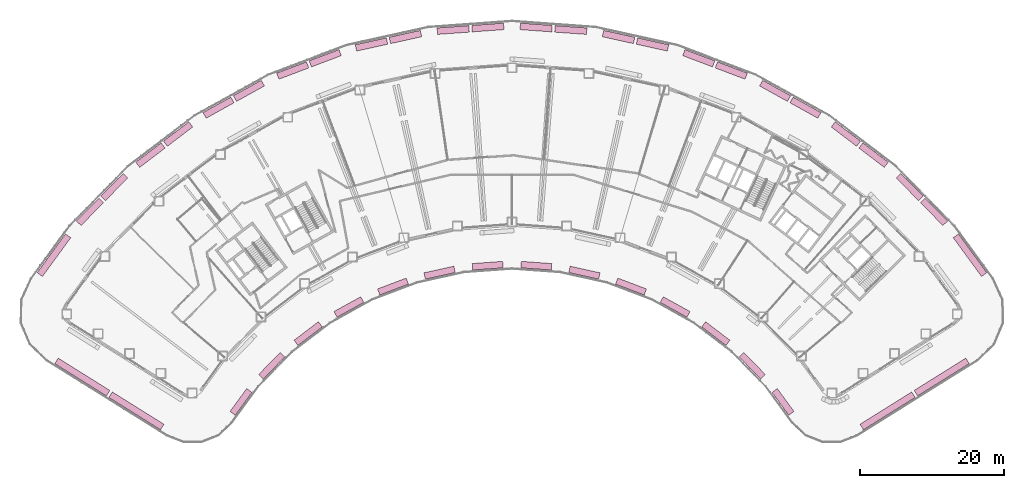
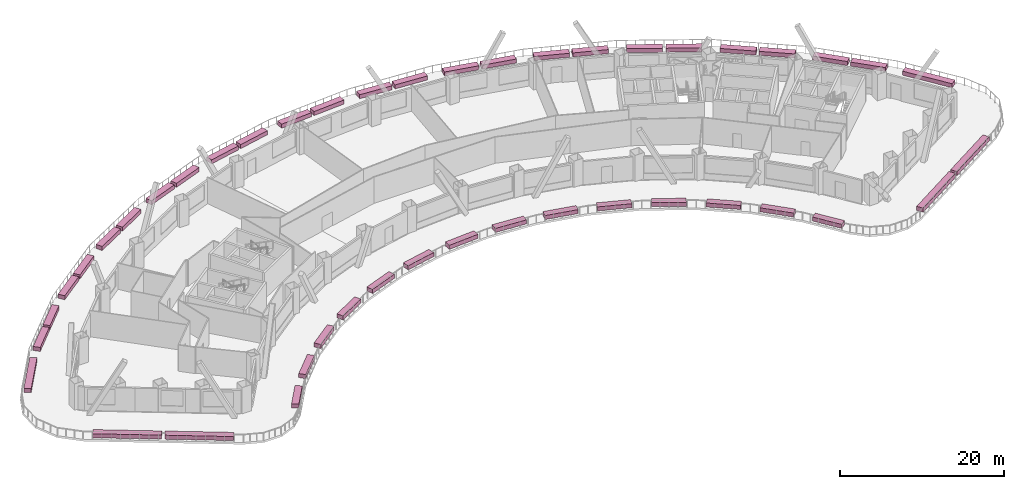
# One storey, part 12 of 12: 44 furnishings.
"""IFC4 building model written with IfcOpenShell, lengths in metres."""

from ifc_helpers import new_model, si_unit, direction, frame, origin, origin_2d, place, context, subcontext, project, spatial, rectangle, extrude, material, type_object, element, save


model = new_model("IFC4")

# Units and contexts
model_context = context("Model", 3, precision=1e-05, world=origin(), true_north=direction((0.0, 1.0)))
body_context = subcontext(model_context, "Body", "Model", "MODEL_VIEW")
ifc_project = project(units=[si_unit("LENGTHUNIT", "METRE"), si_unit("AREAUNIT", "SQUARE_METRE"), si_unit("VOLUMEUNIT", "CUBIC_METRE"), si_unit("PLANEANGLEUNIT", "RADIAN"), si_unit("MASSUNIT", "GRAM", prefix="KILO")], contexts=[model_context])

# Site, building, storey
site_placement = place(None, origin())
site = spatial("IfcSite", under=ifc_project, at=site_placement, CompositionType="ELEMENT")
building_placement = place(site_placement, origin())
building = spatial("IfcBuilding", under=site, at=building_placement, Name="Tuul Gate Civic Tower", CompositionType="ELEMENT")
storey_placement = place(building_placement, frame((0.0, 0.0, 31.5)))
storey = spatial("IfcBuildingStorey", under=building, at=storey_placement, Name="Level 06", CompositionType="ELEMENT", Elevation=31.5)

# Furnishings
ifc_material = material(Name="Planting soil")
furnishing_element_type = type_object("IfcFurnishingElementType", Name="Planter", material=ifc_material)
for number, where, z_axis, x_axis, name in (
    (1, (52.0283203125, -33.62060546875, 0.0), (0.0, 0.0, 1.0), (0.848069718572, 0.529884659564, 0.0), "Planter"),
    (2, (59.518798828125, -28.9404296875, 0.0), (0.0, 0.0, 1.0), (0.848069718572, 0.529884659564, 0.0), "Planter"),
):
    element("IfcFurnishingElement", number, at=place(storey_placement, frame(where, z_axis=z_axis, x_axis=x_axis)), inside=storey, type_object=furnishing_element_type, Name=name, context=body_context, shape_type="SweptSolid", body=[
        extrude(rectangle(XDim=8.432373046875, YDim=0.89990234375, at=origin_2d()), origin(), (0.0, 0.0, 1.0), 0.60009765625),
    ])
furnishing_1_placement = place(storey_placement, frame((63.4423828125, -12.064453125, 0.0), z_axis=(0.0, 0.0, 1.0), x_axis=(-0.589819839777, 0.807534864018, 0.0)))
element("IfcFurnishingElement", 3, at=furnishing_1_placement, inside=storey, type_object=furnishing_element_type, Name="Planter", context=body_context, shape_type="SweptSolid", body=[
    extrude(rectangle(XDim=6.6484375, YDim=0.89990234375, at=origin_2d()), origin(), (0.0, 0.0, 1.0), 0.60009765625),
])
for number, where, z_axis, x_axis, name in (
    (4, (58.462646484375, -6.06494140625, 0.0), (0.0, 0.0, 1.0), (-0.700023283574, 0.714120019643, 0.0), "Planter"),
    (5, (55.0908203125, -2.625, 0.0), (0.0, 0.0, 1.0), (-0.700023283574, 0.714120019643, 0.0), "Planter"),
    (6, (50.07958984375, 1.79736328125, 0.0), (0.0, 0.0, 1.0), (-0.795605325164, 0.605815290802, 0.0), "Planter"),
    (7, (46.2470703125, 4.715576171875, 0.0), (0.0, 0.0, 1.0), (-0.795605325164, 0.605815290802, 0.0), "Planter"),
):
    element("IfcFurnishingElement", number, at=place(storey_placement, frame(where, z_axis=z_axis, x_axis=x_axis)), inside=storey, type_object=furnishing_element_type, Name=name, context=body_context, shape_type="SweptSolid", body=[
        extrude(rectangle(XDim=4.4169921875, YDim=0.89990234375, at=origin_2d()), origin(), (0.0, 0.0, 1.0), 0.60009765625),
    ])
for number, where, z_axis, x_axis, name in (
    (8, (40.651123046875, 8.36962890625, 0.0), (0.0, 0.0, 1.0), (-0.87462315507, 0.484803399963, 0.0), "Planter"),
    (9, (36.438232421875, 10.704833984375, 0.0), (0.0, 0.0, 1.0), (-0.87462315507, 0.484803399963, 0.0), "Planter"),
):
    element("IfcFurnishingElement", number, at=place(storey_placement, frame(where, z_axis=z_axis, x_axis=x_axis)), inside=storey, type_object=furnishing_element_type, Name=name, context=body_context, shape_type="SweptSolid", body=[
        extrude(rectangle(XDim=4.416748046875, YDim=0.89990234375, at=origin_2d()), origin(), (0.0, 0.0, 1.0), 0.60009765625),
    ])
for number, where, z_axis, x_axis, name in (
    (10, (30.3740234375, 13.513916015625, 0.0), (0.0, 0.0, 1.0), (-0.935375432671, 0.353656330292, 0.0), "Planter"),
    (11, (25.868896484375, 15.21728515625, 0.0), (0.0, 0.0, 1.0), (-0.935375432671, 0.353656330292, 0.0), "Planter"),
):
    element("IfcFurnishingElement", number, at=place(storey_placement, frame(where, z_axis=z_axis, x_axis=x_axis)), inside=storey, type_object=furnishing_element_type, Name=name, context=body_context, shape_type="SweptSolid", body=[
        extrude(rectangle(XDim=4.416259765625, YDim=0.89990234375, at=origin_2d()), origin(), (0.0, 0.0, 1.0), 0.60009765625),
    ])
for number, where, z_axis, x_axis, name in (
    (12, (19.46337890625, 17.123291015625, 0.0), (0.0, 0.0, 1.0), (-0.97656178229, 0.215237276906, 0.0), "Planter"),
    (13, (14.75927734375, 18.16015625, 0.0), (0.0, 0.0, 1.0), (-0.97656178229, 0.215237276906, 0.0), "Planter"),
    (14, (8.145751953125, 19.12353515625, 0.0), (0.0, 0.0, 1.0), (-0.997383538595, 0.072291610438, 0.0), "Planter"),
    (15, (3.341552734375, 19.4716796875, 0.0), (0.0, 0.0, 1.0), (-0.997383538595, 0.072291610438, 0.0), "Planter"),
    (16, (-3.341552734375, 19.4716796875, 0.0), (0.0, 0.0, 1.0), (-0.997383538595, -0.072291610438, 0.0), "Planter"),
    (17, (-8.145751953125, 19.12353515625, 0.0), (0.0, 0.0, 1.0), (-0.997383538595, -0.072291610438, 0.0), "Planter"),
    (18, (-14.75927734375, 18.16015625, 0.0), (0.0, 0.0, 1.0), (-0.97656178229, -0.215237276906, 0.0), "Planter"),
    (19, (-19.46337890625, 17.123291015625, 0.0), (0.0, 0.0, 1.0), (-0.97656178229, -0.215237276906, 0.0), "Planter"),
):
    element("IfcFurnishingElement", number, at=place(storey_placement, frame(where, z_axis=z_axis, x_axis=x_axis)), inside=storey, type_object=furnishing_element_type, Name=name, context=body_context, shape_type="SweptSolid", body=[
        extrude(rectangle(XDim=4.416748046875, YDim=0.89990234375, at=origin_2d()), origin(), (0.0, 0.0, 1.0), 0.60009765625),
    ])
for number, where, z_axis, x_axis, name in (
    (20, (-25.868896484375, 15.21728515625, 0.0), (0.0, 0.0, 1.0), (-0.935375432671, -0.353656330292, 0.0), "Planter"),
    (21, (-30.3740234375, 13.513916015625, 0.0), (0.0, 0.0, 1.0), (-0.935375432671, -0.353656330292, 0.0), "Planter"),
):
    element("IfcFurnishingElement", number, at=place(storey_placement, frame(where, z_axis=z_axis, x_axis=x_axis)), inside=storey, type_object=furnishing_element_type, Name=name, context=body_context, shape_type="SweptSolid", body=[
        extrude(rectangle(XDim=4.416259765625, YDim=0.89990234375, at=origin_2d()), origin(), (0.0, 0.0, 1.0), 0.60009765625),
    ])
for number, where, z_axis, x_axis, name in (
    (22, (-36.438232421875, 10.704833984375, 0.0), (0.0, 0.0, 1.0), (-0.87462315507, -0.484803399963, 0.0), "Planter"),
    (23, (-40.651123046875, 8.36962890625, 0.0), (0.0, 0.0, 1.0), (-0.87462315507, -0.484803399963, 0.0), "Planter"),
):
    element("IfcFurnishingElement", number, at=place(storey_placement, frame(where, z_axis=z_axis, x_axis=x_axis)), inside=storey, type_object=furnishing_element_type, Name=name, context=body_context, shape_type="SweptSolid", body=[
        extrude(rectangle(XDim=4.416748046875, YDim=0.89990234375, at=origin_2d()), origin(), (0.0, 0.0, 1.0), 0.60009765625),
    ])
for number, where, z_axis, x_axis, name in (
    (24, (-46.2470703125, 4.715576171875, 0.0), (0.0, 0.0, 1.0), (-0.795605325164, -0.605815290802, 0.0), "Planter"),
    (25, (-50.07958984375, 1.79736328125, 0.0), (0.0, 0.0, 1.0), (-0.795605325164, -0.605815290802, 0.0), "Planter"),
    (26, (-55.0908203125, -2.625, 0.0), (0.0, 0.0, 1.0), (-0.700023283574, -0.714120019643, 0.0), "Planter"),
    (27, (-58.462646484375, -6.06494140625, 0.0), (0.0, 0.0, 1.0), (-0.700023283574, -0.714120019643, 0.0), "Planter"),
):
    element("IfcFurnishingElement", number, at=place(storey_placement, frame(where, z_axis=z_axis, x_axis=x_axis)), inside=storey, type_object=furnishing_element_type, Name=name, context=body_context, shape_type="SweptSolid", body=[
        extrude(rectangle(XDim=4.4169921875, YDim=0.89990234375, at=origin_2d()), origin(), (0.0, 0.0, 1.0), 0.60009765625),
    ])
furnishing_2_placement = place(storey_placement, frame((-63.4423828125, -12.064453125, 0.0), z_axis=(0.0, 0.0, 1.0), x_axis=(-0.589819839777, -0.807534864018, 0.0)))
element("IfcFurnishingElement", 28, at=furnishing_2_placement, inside=storey, type_object=furnishing_element_type, Name="Planter", context=body_context, shape_type="SweptSolid", body=[
    extrude(rectangle(XDim=6.6484375, YDim=0.89990234375, at=origin_2d()), origin(), (0.0, 0.0, 1.0), 0.60009765625),
])
for number, where, z_axis, x_axis, name in (
    (29, (-59.518798828125, -28.9404296875, 0.0), (0.0, 0.0, 1.0), (0.848069718572, -0.529884659564, 0.0), "Planter"),
    (30, (-52.0283203125, -33.62060546875, 0.0), (0.0, 0.0, 1.0), (0.848069718572, -0.529884659564, 0.0), "Planter"),
):
    element("IfcFurnishingElement", number, at=place(storey_placement, frame(where, z_axis=z_axis, x_axis=x_axis)), inside=storey, type_object=furnishing_element_type, Name=name, context=body_context, shape_type="SweptSolid", body=[
        extrude(rectangle(XDim=8.432373046875, YDim=0.89990234375, at=origin_2d()), origin(), (0.0, 0.0, 1.0), 0.60009765625),
    ])
furnishing_3_placement = place(storey_placement, frame((-37.54443359375, -32.38720703125, 0.0), z_axis=(0.0, 0.0, 1.0), x_axis=(0.5898342447, 0.80752434253, 0.0)))
element("IfcFurnishingElement", 31, at=furnishing_3_placement, inside=storey, type_object=furnishing_element_type, Name="Planter", context=body_context, shape_type="SweptSolid", body=[
    extrude(rectangle(XDim=3.925537109375, YDim=0.89990234375, at=origin_2d()), origin(), (0.0, 0.0, 1.0), 0.60009765625),
])
furnishing_4_placement = place(storey_placement, frame((-33.28173828125, -27.37548828125, 0.0), z_axis=(0.0, 0.0, 1.0), x_axis=(0.699988538995, 0.714154076706, 0.0)))
element("IfcFurnishingElement", 32, at=furnishing_4_placement, inside=storey, type_object=furnishing_element_type, Name="Planter", context=body_context, shape_type="SweptSolid", body=[
    extrude(rectangle(XDim=4.23583984375, YDim=0.89990234375, at=origin_2d()), origin(), (0.0, 0.0, 1.0), 0.60009765625),
])
furnishing_5_placement = place(storey_placement, frame((-28.233154296875, -22.91943359375, 0.0), z_axis=(0.0, 0.0, 1.0), x_axis=(0.79558391582, 0.605843406244, 0.0)))
element("IfcFurnishingElement", 33, at=furnishing_5_placement, inside=storey, type_object=furnishing_element_type, Name="Planter", context=body_context, shape_type="SweptSolid", body=[
    extrude(rectangle(XDim=4.2353515625, YDim=0.89990234375, at=origin_2d()), origin(), (0.0, 0.0, 1.0), 0.60009765625),
])
for number, where, z_axis, x_axis, name in (
    (34, (-22.5947265625, -19.23779296875, 0.0), (0.0, 0.0, 1.0), (0.87463310848, 0.484785442799, 0.0), "Planter"),
    (35, (-16.484375, -16.4072265625, 0.0), (0.0, 0.0, 1.0), (0.935365770145, 0.353681885373, 0.0), "Planter"),
):
    element("IfcFurnishingElement", number, at=place(storey_placement, frame(where, z_axis=z_axis, x_axis=x_axis)), inside=storey, type_object=furnishing_element_type, Name=name, context=body_context, shape_type="SweptSolid", body=[
        extrude(rectangle(XDim=4.23583984375, YDim=0.89990234375, at=origin_2d()), origin(), (0.0, 0.0, 1.0), 0.60009765625),
    ])
furnishing_6_placement = place(storey_placement, frame((-10.0302734375, -14.48681640625, 0.0), z_axis=(0.0, 0.0, 1.0), x_axis=(0.976568507024, 0.215206763576, 0.0)))
element("IfcFurnishingElement", 36, at=furnishing_6_placement, inside=storey, type_object=furnishing_element_type, Name="Planter", context=body_context, shape_type="SweptSolid", body=[
    extrude(rectangle(XDim=4.235595703125, YDim=0.89990234375, at=origin_2d()), origin(), (0.0, 0.0, 1.0), 0.60009765625),
])
for number, where, z_axis, x_axis, name in (
    (37, (-3.36669921875, -13.5166015625, 0.0), (0.0, 0.0, 1.0), (0.997390932838, 0.072189522041, 0.0), "Planter"),
    (38, (3.36669921875, -13.5166015625, 0.0), (0.0, 0.0, 1.0), (0.997390932838, -0.072189522041, 0.0), "Planter"),
):
    element("IfcFurnishingElement", number, at=place(storey_placement, frame(where, z_axis=z_axis, x_axis=x_axis)), inside=storey, type_object=furnishing_element_type, Name=name, context=body_context, shape_type="SweptSolid", body=[
        extrude(rectangle(XDim=4.2353515625, YDim=0.89990234375, at=origin_2d()), origin(), (0.0, 0.0, 1.0), 0.60009765625),
    ])
furnishing_7_placement = place(storey_placement, frame((10.0302734375, -14.48681640625, 0.0), z_axis=(0.0, 0.0, 1.0), x_axis=(0.976568507024, -0.215206763576, 0.0)))
element("IfcFurnishingElement", 39, at=furnishing_7_placement, inside=storey, type_object=furnishing_element_type, Name="Planter", context=body_context, shape_type="SweptSolid", body=[
    extrude(rectangle(XDim=4.235595703125, YDim=0.89990234375, at=origin_2d()), origin(), (0.0, 0.0, 1.0), 0.60009765625),
])
for number, where, z_axis, x_axis, name in (
    (40, (16.484375, -16.4072265625, 0.0), (0.0, 0.0, 1.0), (0.935365770145, -0.353681885373, 0.0), "Planter"),
    (41, (22.5947265625, -19.23779296875, 0.0), (0.0, 0.0, 1.0), (0.87463310848, -0.484785442799, 0.0), "Planter"),
):
    element("IfcFurnishingElement", number, at=place(storey_placement, frame(where, z_axis=z_axis, x_axis=x_axis)), inside=storey, type_object=furnishing_element_type, Name=name, context=body_context, shape_type="SweptSolid", body=[
        extrude(rectangle(XDim=4.23583984375, YDim=0.89990234375, at=origin_2d()), origin(), (0.0, 0.0, 1.0), 0.60009765625),
    ])
furnishing_8_placement = place(storey_placement, frame((28.233154296875, -22.91943359375, 0.0), z_axis=(0.0, 0.0, 1.0), x_axis=(0.79558391582, -0.605843406244, 0.0)))
element("IfcFurnishingElement", 42, at=furnishing_8_placement, inside=storey, type_object=furnishing_element_type, Name="Planter", context=body_context, shape_type="SweptSolid", body=[
    extrude(rectangle(XDim=4.2353515625, YDim=0.89990234375, at=origin_2d()), origin(), (0.0, 0.0, 1.0), 0.60009765625),
])
furnishing_9_placement = place(storey_placement, frame((33.28173828125, -27.37548828125, 0.0), z_axis=(0.0, 0.0, 1.0), x_axis=(0.699988538995, -0.714154076706, 0.0)))
element("IfcFurnishingElement", 43, at=furnishing_9_placement, inside=storey, type_object=furnishing_element_type, Name="Planter", context=body_context, shape_type="SweptSolid", body=[
    extrude(rectangle(XDim=4.23583984375, YDim=0.89990234375, at=origin_2d()), origin(), (0.0, 0.0, 1.0), 0.60009765625),
])
furnishing_10_placement = place(storey_placement, frame((37.54443359375, -32.38720703125, 0.0), z_axis=(0.0, 0.0, 1.0), x_axis=(0.5898342447, -0.80752434253, 0.0)))
element("IfcFurnishingElement", 44, at=furnishing_10_placement, inside=storey, type_object=furnishing_element_type, Name="Planter", context=body_context, shape_type="SweptSolid", body=[
    extrude(rectangle(XDim=3.925537109375, YDim=0.89990234375, at=origin_2d()), origin(), (0.0, 0.0, 1.0), 0.60009765625),
])

save(model, "model.ifc")
